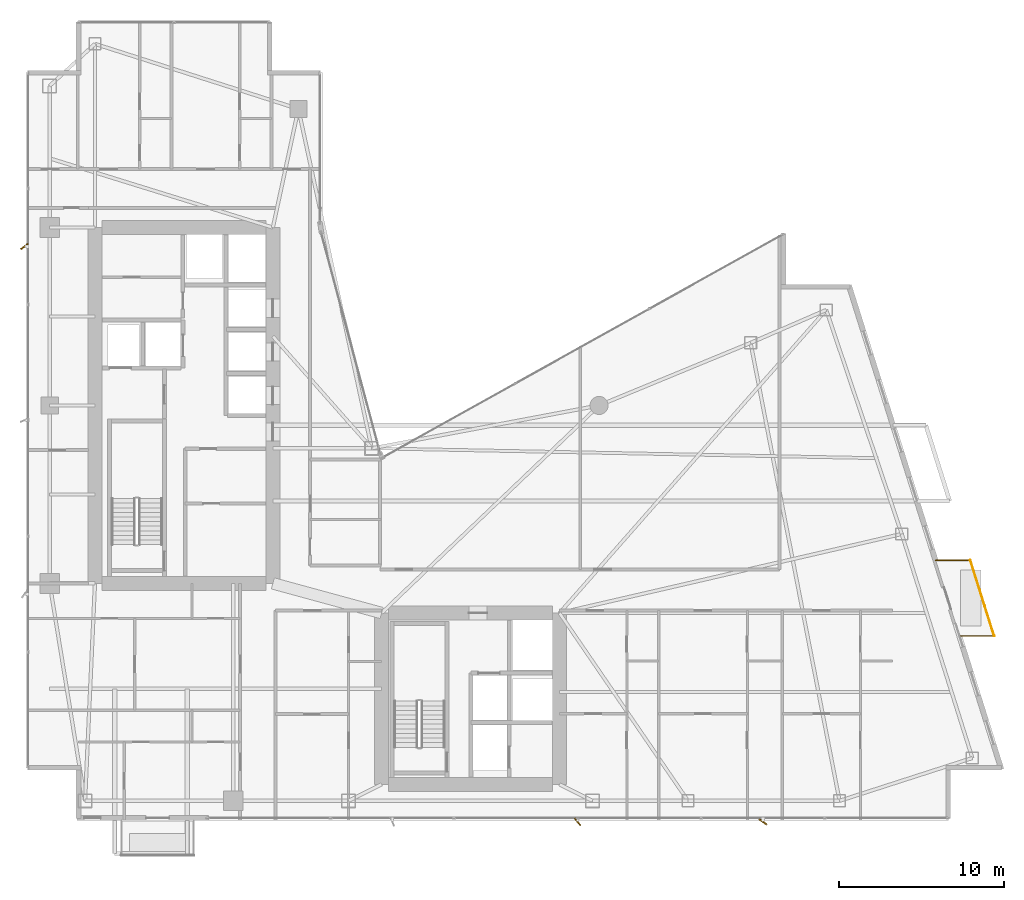
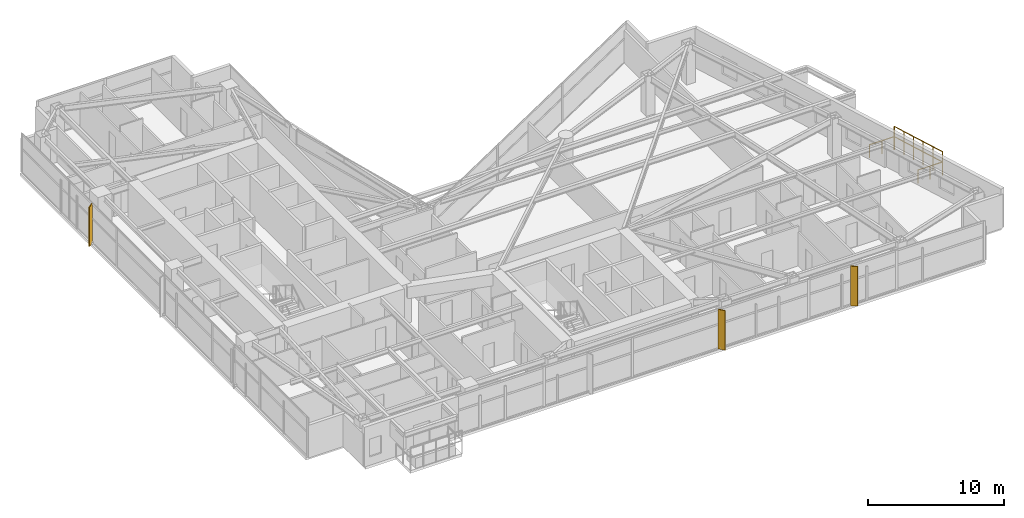
# One storey, part 28 of 28: 3 shading devices, 2 railings.
"""IFC4 building model written with IfcOpenShell, lengths in metres."""

from ifc_helpers import new_model, si_unit, direction, frame, origin, origin_2d, place, context, subcontext, project, spatial, rectangle, circle, extrude, material, type_object, element, save


model = new_model("IFC4")

# Units and contexts
model_context = context("Model", 3, precision=1e-05, world=origin(), true_north=direction((0.0, 1.0)))
body_context = subcontext(model_context, "Body", "Model", "MODEL_VIEW")
ifc_project = project(units=[si_unit("LENGTHUNIT", "METRE"), si_unit("AREAUNIT", "SQUARE_METRE"), si_unit("VOLUMEUNIT", "CUBIC_METRE"), si_unit("PLANEANGLEUNIT", "RADIAN"), si_unit("MASSUNIT", "GRAM", prefix="KILO")], contexts=[model_context])

# Site, building, storey
site_placement = place(None, origin())
site = spatial("IfcSite", under=ifc_project, at=site_placement, CompositionType="ELEMENT")
building_placement = place(site_placement, origin())
building = spatial("IfcBuilding", under=site, at=building_placement, Name="Calvorn Quay Hotel", CompositionType="ELEMENT")
storey_placement = place(building_placement, frame((0.0, 0.0, 156.10009765625)))
storey = spatial("IfcBuildingStorey", under=building, at=storey_placement, Name="L38", CompositionType="ELEMENT", Elevation=156.10009765625)

# Railings
ifc_material_1 = material(Name="Pale Anodised Aluminium and Laminated Glass", Category="aluminium")
railing_type = type_object("IfcRailingType", Name="RLG-BALUSTRADE-1200", PredefinedType="BALUSTRADE", material=ifc_material_1)
railing_1_placement = place(storey_placement, frame((56.68896484375, 13.60009765625, 0.0)))
element("IfcRailing", 1, at=railing_1_placement, inside=storey, type_object=railing_type, Name="Tree Balcony Perimeter Balustrade L38-BALC-E", PredefinedType="BALUSTRADE", context=body_context, shape_type="SweptSolid", body=[
    extrude(circle(Radius=0.02392578125, at=origin_2d()), frame((0.0, 0.0, 1.17578125), z_axis=(1.0, 0.0, 0.0), x_axis=(0.0, 1.0, 0.0)), (0.0, 0.0, 1.0), 2.10009765625),
    extrude(circle(Radius=0.02392578125, at=origin_2d()), frame((2.10009765625, 0.0, 1.17578125), z_axis=(-0.300450487966, 0.953797412599, 0.0), x_axis=(-0.953797412599, -0.300450487966, 0.0)), (0.0, 0.0, 1.0), 4.82275390625),
    extrude(circle(Radius=0.02392578125, at=origin_2d()), frame((0.651123046875, 4.599853515625, 1.17578125), z_axis=(-1.0, 0.0, 0.0), x_axis=(0.0, -1.0, 0.0)), (0.0, 0.0, 1.0), 2.10009765625),
    extrude(circle(Radius=0.02099609375, at=origin_2d()), origin(), (0.0, 0.0, 1.0), 1.15185546875),
    extrude(circle(Radius=0.02099609375, at=origin_2d()), frame((1.050048828125, 0.0, 0.0)), (0.0, 0.0, 1.0), 1.15185546875),
    extrude(circle(Radius=0.02099609375, at=origin_2d()), frame((2.10009765625, 0.0, 0.0)), (0.0, 0.0, 1.0), 1.15185546875),
    extrude(circle(Radius=0.02099609375, at=origin_2d()), frame((1.810302734375, 0.919921875, 0.0)), (0.0, 0.0, 1.0), 1.15185546875),
    extrude(circle(Radius=0.02099609375, at=origin_2d()), frame((1.5205078125, 1.83984375, 0.0)), (0.0, 0.0, 1.0), 1.15185546875),
    extrude(circle(Radius=0.02099609375, at=origin_2d()), frame((1.230712890625, 2.760009765625, 0.0)), (0.0, 0.0, 1.0), 1.15185546875),
    extrude(circle(Radius=0.02099609375, at=origin_2d()), frame((0.94091796875, 3.679931640625, 0.0)), (0.0, 0.0, 1.0), 1.15185546875),
    extrude(circle(Radius=0.02099609375, at=origin_2d()), frame((0.651123046875, 4.599853515625, 0.0)), (0.0, 0.0, 1.0), 1.15185546875),
    extrude(circle(Radius=0.02099609375, at=origin_2d()), frame((-0.39892578125, 4.599853515625, 0.0)), (0.0, 0.0, 1.0), 1.15185546875),
    extrude(circle(Radius=0.02099609375, at=origin_2d()), frame((-1.448974609375, 4.599853515625, 0.0)), (0.0, 0.0, 1.0), 1.15185546875),
])
railing_2_placement = place(storey_placement, frame((58.7890625, 13.60009765625, 0.89990234375)))
element("IfcRailing", 2, at=railing_2_placement, inside=storey, type_object=railing_type, Name="Planter Kerb High Safety Screen L38-BALC-E", PredefinedType="BALUSTRADE", context=body_context, shape_type="SweptSolid", body=[
    extrude(circle(Radius=0.02392578125, at=origin_2d()), frame((0.0, 0.0, 1.19580078125), z_axis=(-0.300450487966, 0.953797412599, 0.0), x_axis=(-0.953797412599, -0.300450487966, 0.0)), (0.0, 0.0, 1.0), 4.82275390625),
    extrude(circle(Radius=0.02099609375, at=origin_2d()), origin(), (0.0, 0.0, 1.0), 1.171875),
    extrude(circle(Radius=0.02099609375, at=origin_2d()), frame((-0.289794921875, 0.919921875, 0.0)), (0.0, 0.0, 1.0), 1.171875),
    extrude(circle(Radius=0.02099609375, at=origin_2d()), frame((-0.57958984375, 1.83984375, 0.0)), (0.0, 0.0, 1.0), 1.171875),
    extrude(circle(Radius=0.02099609375, at=origin_2d()), frame((-0.869384765625, 2.760009765625, 0.0)), (0.0, 0.0, 1.0), 1.171875),
    extrude(circle(Radius=0.02099609375, at=origin_2d()), frame((-1.1591796875, 3.679931640625, 0.0)), (0.0, 0.0, 1.0), 1.171875),
    extrude(circle(Radius=0.02099609375, at=origin_2d()), frame((-1.448974609375, 4.599853515625, 0.0)), (0.0, 0.0, 1.0), 1.171875),
])

# Shading devices
ifc_material_2 = material(Name="Champagne Bronze Anodised Aluminium 6063-T6", Category="aluminium")
shading_device_type_1 = type_object("IfcShadingDeviceType", Name="SHD-FIN-A2", PredefinedType="USERDEFINED", material=ifc_material_2)
for number, where, z_axis, x_axis, name in (
    (3, (-0.080078125, 37.25, -0.000244140625), (0.0, 0.0, 1.0), (0.788010753607, 0.615661475326, 0.0), "Diagonal Sun-Shading Fin L38-W03"),
    (4, (33.5, 2.320068359375, -0.000244140625), (0.0, 0.0, 1.0), (-0.615661475326, 0.788010753607, 0.0), "Diagonal Sun-Shading Fin L38-S02"),
):
    element("IfcShadingDevice", number, at=place(storey_placement, frame(where, z_axis=z_axis, x_axis=x_axis)), inside=storey, type_object=shading_device_type_1, Name=name, ObjectType="FIN", PredefinedType="USERDEFINED", context=body_context, shape_type="SweptSolid", body=[
        extrude(rectangle(XDim=0.550048828125, YDim=0.080078125, at=origin_2d()), origin(), (0.0, 0.0, 1.0), 3.56005859375),
    ])
ifc_material_3 = material(Name="Champagne Bronze Anodised Aluminium 6063-T6", Category="aluminium")
shading_device_type_2 = type_object("IfcShadingDeviceType", Name="SHD-FIN-A3", PredefinedType="USERDEFINED", material=ifc_material_3)
shading_device_placement = place(storey_placement, frame((44.75, 2.320068359375, -0.000244140625), z_axis=(0.0, 0.0, 1.0), x_axis=(-0.809016994375, 0.587785252292, 0.0)))
element("IfcShadingDevice", 5, at=shading_device_placement, inside=storey, type_object=shading_device_type_2, Name="Diagonal Sun-Shading Fin L38-S03", ObjectType="FIN", PredefinedType="USERDEFINED", context=body_context, shape_type="SweptSolid", body=[
    extrude(rectangle(XDim=0.550048828125, YDim=0.080078125, at=origin_2d()), origin(), (0.0, 0.0, 1.0), 3.56005859375),
])

save(model, "model.ifc")
